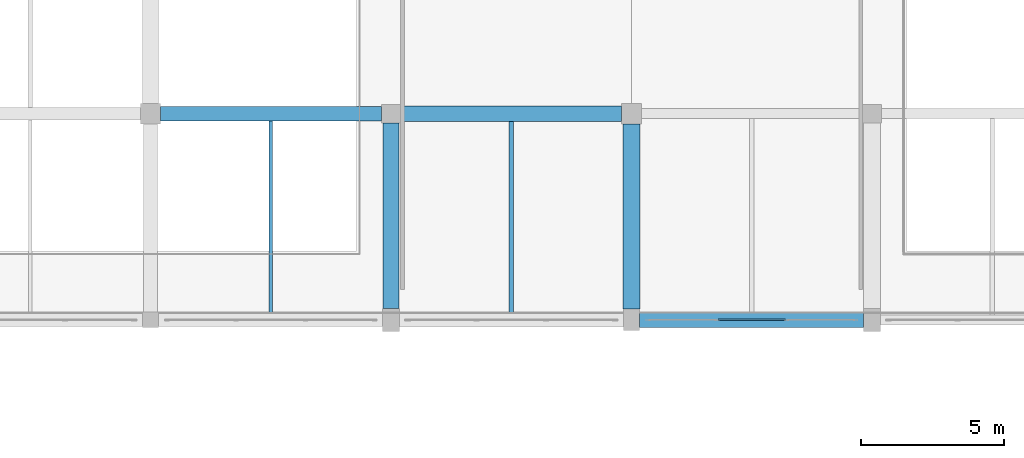
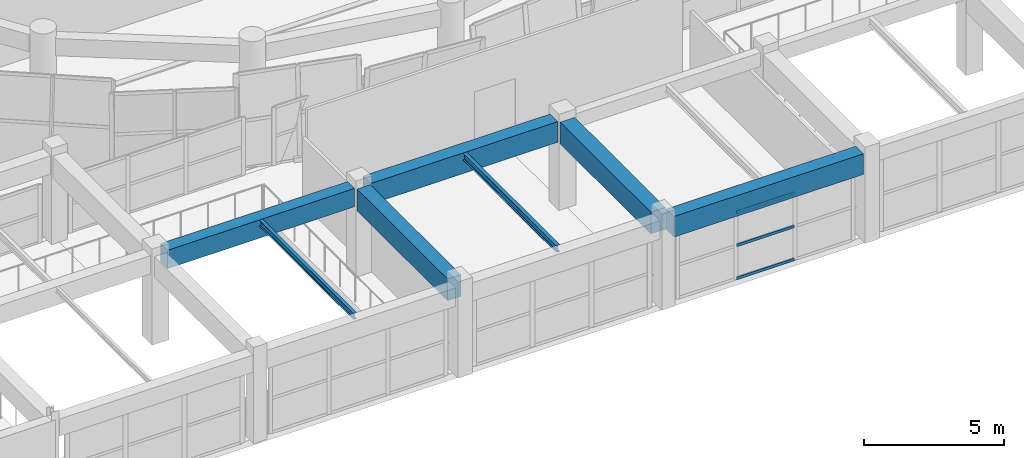
# One storey, part 18 of 71: 7 beams, 3 members, 1 element without a shape of its own.
"""IFC4 building model written with IfcOpenShell, lengths in metres."""

from ifc_helpers import new_model, si_unit, direction, frame, origin, origin_2d, place, context, subcontext, project, spatial, rectangle, hollow_rectangle, i_section, extrude, material, material_profile, profile_set, type_object, element, aggregate, save


model = new_model("IFC4")

# Units and contexts
model_context = context("Model", 3, precision=1e-05, world=origin(), true_north=direction((0.0, 1.0)))
body_context = subcontext(model_context, "Body", "Model", "MODEL_VIEW")
ifc_project = project(units=[si_unit("LENGTHUNIT", "METRE"), si_unit("AREAUNIT", "SQUARE_METRE"), si_unit("VOLUMEUNIT", "CUBIC_METRE"), si_unit("PLANEANGLEUNIT", "RADIAN"), si_unit("MASSUNIT", "GRAM", prefix="KILO")], contexts=[model_context])

# Site, building, storey
site_placement = place(None, origin())
site = spatial("IfcSite", under=ifc_project, at=site_placement, CompositionType="ELEMENT")
building_placement = place(site_placement, origin())
building = spatial("IfcBuilding", under=site, at=building_placement, Name="Korsvaeld Concert Hall", CompositionType="ELEMENT")
storey_placement = place(building_placement, frame((0.0, 0.0, 4.800048828125)))
storey = spatial("IfcBuildingStorey", under=building, at=storey_placement, Name="L01", CompositionType="ELEMENT", Elevation=4.800048828125)

# Beams
ifc_material_1 = material(Name="Concrete C40/50", Category="concrete")
ifc_material_profile_1 = material_profile(ifc_material_1, rectangle(XDim=0.5, YDim=0.800048828125, at=origin_2d()), Name="RC 500x800")
ifc_profile_set_1 = profile_set([ifc_material_profile_1], Name="Concrete C40/50")
beam_type_1 = type_object("IfcBeamType", Name="BM-RC-500x800", PredefinedType="T_BEAM", material=ifc_profile_set_1)
beam_1_placement = place(storey_placement, frame((67.550048828125, 36.0, 3.43994140625), z_axis=(1.0, 0.0, 0.0), x_axis=(0.0, 1.0, 0.0)))
element("IfcBeam", 1, at=beam_1_placement, inside=storey, type_object=beam_type_1, Name="Primary girder 10-11/F L01", PredefinedType="T_BEAM", context=body_context, shape_type="SweptSolid", body=[
    extrude(rectangle(XDim=0.5, YDim=0.800048828125, at=origin_2d()), origin(), (0.0, 0.0, 1.0), 7.724853515625),
])
ifc_material_profile_2 = material_profile(ifc_material_1, rectangle(XDim=0.550048828125, YDim=0.89990234375, at=origin_2d()), Name="RC 550x900")
ifc_profile_set_2 = profile_set([ifc_material_profile_2], Name="Concrete C40/50")
beam_type_2 = type_object("IfcBeamType", Name="BM-RC-550x900", PredefinedType="T_BEAM", material=ifc_profile_set_2)
beam_2_placement = place(storey_placement, frame((84.27490234375, 28.800048828125, 3.389892578125), z_axis=(1.0, 0.0, 0.0), x_axis=(0.0, 1.0, 0.0)))
element("IfcBeam", 2, at=beam_2_placement, inside=storey, type_object=beam_type_2, Name="Primary girder 12-13/E L01", PredefinedType="T_BEAM", context=body_context, shape_type="SweptSolid", body=[
    extrude(rectangle(XDim=0.550048828125, YDim=0.89990234375, at=origin_2d()), origin(), (0.0, 0.0, 1.0), 7.8251953125),
])
beam_3_placement = place(storey_placement, frame((75.925048828125, 36.0, 3.389892578125), z_axis=(1.0, 0.0, 0.0), x_axis=(0.0, 1.0, 0.0)))
element("IfcBeam", 3, at=beam_3_placement, inside=storey, type_object=beam_type_2, Name="Primary girder 11-12/F L01", PredefinedType="T_BEAM", context=body_context, shape_type="SweptSolid", body=[
    extrude(rectangle(XDim=0.550048828125, YDim=0.89990234375, at=origin_2d()), origin(), (0.0, 0.0, 1.0), 7.724853515625),
])
ifc_material_profile_3 = material_profile(ifc_material_1, rectangle(XDim=0.550048828125, YDim=0.949951171875, at=origin_2d()), Name="RC 550x950")
ifc_profile_set_3 = profile_set([ifc_material_profile_3], Name="Concrete C40/50")
beam_type_3 = type_object("IfcBeamType", Name="BM-RC-550x950", PredefinedType="T_BEAM", material=ifc_profile_set_3)
beam_4_placement = place(storey_placement, frame((75.60009765625, 29.199951171875, 3.364990234375), z_axis=(0.0, 1.0, 0.0), x_axis=(-1.0, 0.0, 0.0)))
element("IfcBeam", 4, at=beam_4_placement, inside=storey, type_object=beam_type_3, Name="Primary girder 11/E-F L01", PredefinedType="T_BEAM", context=body_context, shape_type="SweptSolid", body=[
    extrude(rectangle(XDim=0.550048828125, YDim=0.949951171875, at=origin_2d()), origin(), (0.0, 0.0, 1.0), 6.47509765625),
])
ifc_material_profile_4 = material_profile(ifc_material_1, rectangle(XDim=0.60009765625, YDim=0.949951171875, at=origin_2d()), Name="RC 600x950")
ifc_profile_set_4 = profile_set([ifc_material_profile_4], Name="Concrete C40/50")
beam_type_4 = type_object("IfcBeamType", Name="BM-RC-600x950", PredefinedType="T_BEAM", material=ifc_profile_set_4)
beam_5_placement = place(storey_placement, frame((84.0, 29.175048828125, 3.364990234375), z_axis=(0.0, 1.0, 0.0), x_axis=(-1.0, 0.0, 0.0)))
element("IfcBeam", 5, at=beam_5_placement, inside=storey, type_object=beam_type_4, Name="Primary girder 12/E-F L01", PredefinedType="T_BEAM", context=body_context, shape_type="SweptSolid", body=[
    extrude(rectangle(XDim=0.60009765625, YDim=0.949951171875, at=origin_2d()), origin(), (0.0, 0.0, 1.0), 6.474853515625),
])
ifc_material_2 = material(Name="Steel S355J2", Category="steel")
ifc_material_profile_5 = material_profile(ifc_material_2, i_section(OverallWidth=0.135009765625, OverallDepth=0.27001953125, WebThickness=0.006591796875, FlangeThickness=0.01025390625, FilletRadius=0.014892578125, at=origin_2d()), Name="IPE 270")
ifc_profile_set_5 = profile_set([ifc_material_profile_5], Name="Steel S355J2")
beam_type_5 = type_object("IfcBeamType", Name="BM-STL-IPE270", PredefinedType="JOIST", material=ifc_profile_set_5)
beam_6_placement = place(storey_placement, frame((71.39990234375, 29.02490234375, 3.704833984375), z_axis=(0.0, 1.0, 0.0), x_axis=(-1.0, 0.0, 0.0)))
element("IfcBeam", 6, at=beam_6_placement, inside=storey, type_object=beam_type_5, Name="Secondary steel floor beam 10-11/E L01", PredefinedType="JOIST", context=body_context, shape_type="SweptSolid", body=[
    extrude(i_section(OverallWidth=0.135009765625, OverallDepth=0.27001953125, WebThickness=0.006591796875, FlangeThickness=0.01025390625, FilletRadius=0.014892578125, at=origin_2d()), origin(), (0.0, 0.0, 1.0), 6.72509765625),
])
ifc_material_profile_6 = material_profile(ifc_material_2, i_section(OverallWidth=0.14990234375, OverallDepth=0.300048828125, WebThickness=0.007080078125, FlangeThickness=0.0107421875, FilletRadius=0.014892578125, at=origin_2d()), Name="IPE 300")
ifc_profile_set_6 = profile_set([ifc_material_profile_6], Name="Steel S355J2")
beam_type_6 = type_object("IfcBeamType", Name="BM-STL-IPE300", PredefinedType="JOIST", material=ifc_profile_set_6)
beam_7_placement = place(storey_placement, frame((79.800048828125, 29.050048828125, 3.68994140625), z_axis=(0.0, 1.0, 0.0), x_axis=(-1.0, 0.0, 0.0)))
element("IfcBeam", 7, at=beam_7_placement, inside=storey, type_object=beam_type_6, Name="Secondary steel floor beam 11-12/E L01", PredefinedType="JOIST", context=body_context, shape_type="SweptSolid", body=[
    extrude(i_section(OverallWidth=0.14990234375, OverallDepth=0.300048828125, WebThickness=0.007080078125, FlangeThickness=0.0107421875, FilletRadius=0.014892578125, at=origin_2d()), origin(), (0.0, 0.0, 1.0), 6.675048828125),
])

# Curtain wall, members
ifc_material_3 = material(Name="Anodised bronze and ceramic-fritted safety glass", Category="glass")
curtain_wall_type = type_object("IfcCurtainWallType", Name="CW-TYPE-09", PredefinedType="USERDEFINED", material=ifc_material_3)
curtain_wall_placement = place(storey_placement, origin())
curtain_wall = element("IfcCurtainWall", 8, at=curtain_wall_placement, inside=storey, type_object=curtain_wall_type, Name="Wintergarden foyer curtain wall L01-09", ObjectType="CURTAIN WALL", PredefinedType="USERDEFINED")
ifc_material_4 = material(Name="Anodised architectural bronze aluminium", Category="aluminium")
ifc_material_profile_7 = material_profile(ifc_material_4, hollow_rectangle(XDim=0.06005859375, YDim=0.1201171875, WallThickness=0.00390625, at=origin_2d()), Name="CWT 120x60x4")
ifc_profile_set_7 = profile_set([ifc_material_profile_7], Name="Anodised architectural bronze aluminium")
member_type = type_object("IfcMemberType", Name="CWT-ALUM-120x60", PredefinedType="USERDEFINED", material=ifc_profile_set_7)
member_1_placement = place(storey_placement, frame((89.38671875, 28.800048828125, 0.030029296875), z_axis=(-1.0, 0.0, 0.0), x_axis=(0.0, -1.0, 0.0)))
member_1 = element("IfcMember", 9, at=member_1_placement, type_object=member_type, Name="CW-09 transom 2.1", ObjectType="TRANSOM", PredefinedType="USERDEFINED", context=body_context, shape_type="SweptSolid", body=[
    extrude(hollow_rectangle(XDim=0.06005859375, YDim=0.1201171875, WallThickness=0.00390625, at=origin_2d()), origin(), (0.0, 0.0, 1.0), 2.373291015625),
])
member_2_placement = place(storey_placement, frame((89.38671875, 28.800048828125, 1.469970703125), z_axis=(-1.0, 0.0, 0.0), x_axis=(0.0, -1.0, 0.0)))
member_2 = element("IfcMember", 10, at=member_2_placement, type_object=member_type, Name="CW-09 transom 2.2", ObjectType="TRANSOM", PredefinedType="USERDEFINED", context=body_context, shape_type="SweptSolid", body=[
    extrude(hollow_rectangle(XDim=0.06005859375, YDim=0.1201171875, WallThickness=0.00390625, at=origin_2d()), origin(), (0.0, 0.0, 1.0), 2.373291015625),
])
member_3_placement = place(storey_placement, frame((89.38671875, 28.800048828125, 2.909912109375), z_axis=(-1.0, 0.0, 0.0), x_axis=(0.0, -1.0, 0.0)))
member_3 = element("IfcMember", 11, at=member_3_placement, type_object=member_type, Name="CW-09 transom 2.3", ObjectType="TRANSOM", PredefinedType="USERDEFINED", context=body_context, shape_type="SweptSolid", body=[
    extrude(hollow_rectangle(XDim=0.06005859375, YDim=0.1201171875, WallThickness=0.00390625, at=origin_2d()), origin(), (0.0, 0.0, 1.0), 2.373291015625),
])
aggregate(curtain_wall, [member_1, member_2, member_3])

save(model, "model.ifc")
